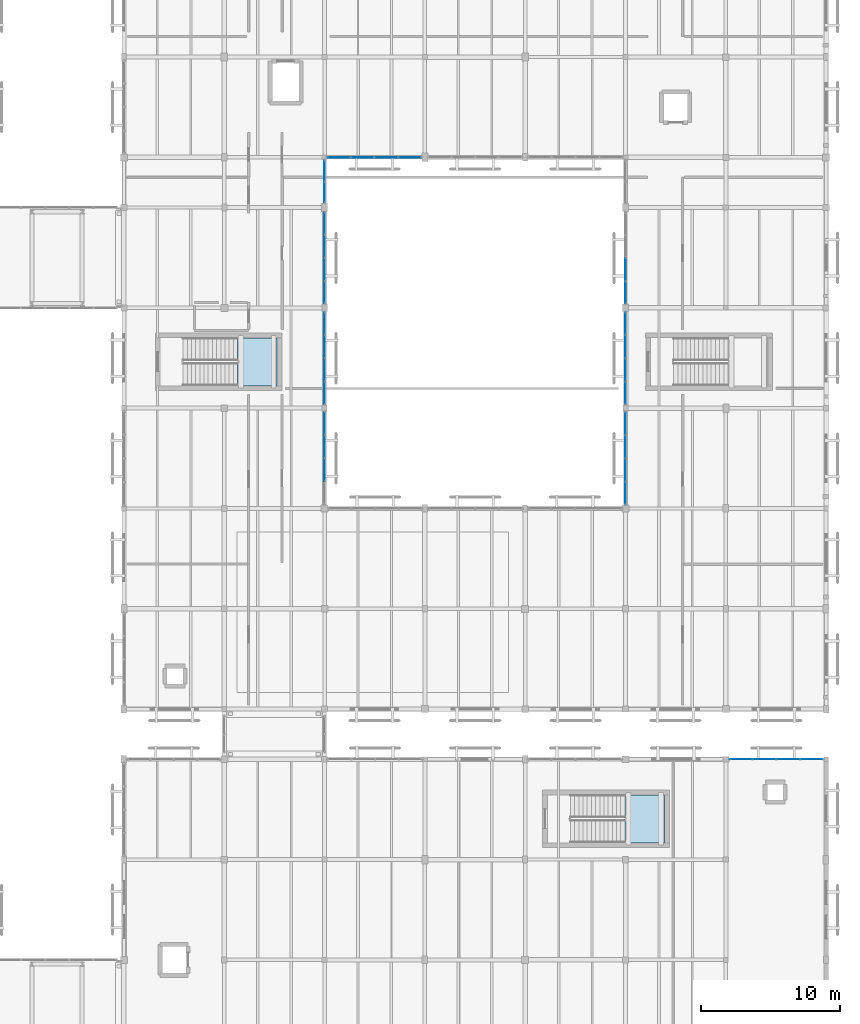
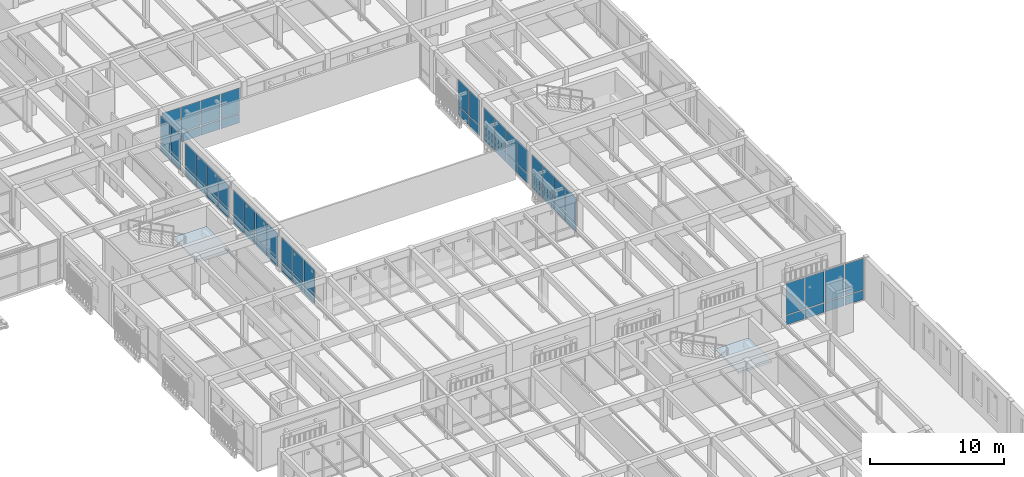
# One storey, part 173 of 217: 62 plates, 2 slabs, 11 elements without a shape of their own.
"""IFC4 building model written with IfcOpenShell, lengths in metres."""

import ifcopenshell
import ifcopenshell.guid

model = None  # the IFC model being written
_history = None  # IfcOwnerHistory: only IFC2X3 demands one
_inside = {}  # id of a spatial element -> (the spatial element, [elements in it])
_under = {}  # id of a project, library or spatial element -> (it, [spatial elements below it])
_declared = {}  # id of a project -> (the project, [libraries it declares])
_typed = {}  # id of a type object -> (the type object, [elements of that type])
_made_of = {}  # id of a material, layer set ... -> (it, [elements and type objects made of it])


def new_model(schema):
    """Start an empty IFC model of exactly this schema.

    Asked for "IFC4X3", IfcOpenShell would pick the latest addendum, in which some entities
    have other attributes; the version numbers below select the first issue.
    IFC2X3 requires an IfcOwnerHistory on every rooted entity: one is made here for all.
    """
    global model, _history
    if schema == "IFC4X3":
        model = ifcopenshell.file(schema_version=(4, 3, 0, 0))
    else:
        model = ifcopenshell.file(schema=schema)
    _inside.clear()
    _under.clear()
    _declared.clear()
    _typed.clear()
    _made_of.clear()
    _history = None
    if model.schema == "IFC2X3":
        org = make("IfcOrganization", Name="unknown")
        user = make(
            "IfcPersonAndOrganization",
            ThePerson=make("IfcPerson", FamilyName="unknown"),
            TheOrganization=org,
        )
        app = make(
            "IfcApplication",
            ApplicationDeveloper=org,
            Version="unknown",
            ApplicationFullName="unknown",
            ApplicationIdentifier="unknown",
        )
        _history = make(
            "IfcOwnerHistory",
            OwningUser=user,
            OwningApplication=app,
            ChangeAction="ADDED",
            CreationDate=0,
        )
    return model


def make(cls, **values):
    """One entity of the class cls with the attributes given. An attribute that is None is left unset."""
    return model.create_entity(
        cls, **{name: value for name, value in values.items() if value is not None}
    )


def rooted(cls, **values):
    """An entity with a GlobalId (a new one), such as an element, a storey or a relation."""
    return make(cls, GlobalId=ifcopenshell.guid.new(), OwnerHistory=_history, **values)


def si_unit(unit_type, name, prefix=None):
    """IfcSIUnit, for example si_unit("LENGTHUNIT", "METRE", prefix="MILLI")."""
    return make("IfcSIUnit", UnitType=unit_type, Prefix=prefix, Name=name)


def assignment(units):
    """IfcUnitAssignment: the units of a project."""
    return None if units is None else make("IfcUnitAssignment", Units=units)


def point(xyz):
    """IfcCartesianPoint."""
    return None if xyz is None else make("IfcCartesianPoint", Coordinates=xyz)


def direction(xyz):
    """IfcDirection."""
    return None if xyz is None else make("IfcDirection", DirectionRatios=xyz)


def frame(location, z_axis=None, x_axis=None):
    """IfcAxis2Placement3D, a coordinate frame: its origin and axes. An axis left out is left unset."""
    return make(
        "IfcAxis2Placement3D",
        Location=point(location),
        Axis=direction(z_axis),
        RefDirection=direction(x_axis),
    )


def frame_2d(location, x_axis=None):
    """IfcAxis2Placement2D, a coordinate frame in the plane: its origin and x axis."""
    return make(
        "IfcAxis2Placement2D", Location=point(location), RefDirection=direction(x_axis)
    )


def origin():
    """The frame at (0, 0, 0) with its axes left unset."""
    return frame((0.0, 0.0, 0.0))


def origin_2d():
    """The frame at (0, 0) in the plane with its x axis left unset."""
    return frame_2d((0.0, 0.0))


def place(relative_to, where):
    """IfcLocalPlacement: puts the frame where relative to a parent placement (None: the world)."""
    return make(
        "IfcLocalPlacement", PlacementRelTo=relative_to, RelativePlacement=where
    )


def context(
    kind, dimensions, precision=None, world=None, true_north=None, identifier=None
):
    """IfcGeometricRepresentationContext, for example the 3D "Model" context."""
    return make(
        "IfcGeometricRepresentationContext",
        ContextIdentifier=identifier,
        ContextType=kind,
        CoordinateSpaceDimension=dimensions,
        Precision=precision,
        WorldCoordinateSystem=world,
        TrueNorth=true_north,
    )


def subcontext(parent, identifier, kind, view, scale=None):
    """IfcGeometricRepresentationSubContext, for example "Body" below "Model"."""
    return make(
        "IfcGeometricRepresentationSubContext",
        ContextIdentifier=identifier,
        ContextType=kind,
        ParentContext=parent,
        TargetScale=scale,
        TargetView=view,
    )


def project(units=None, contexts=None):
    """IfcProject with its units and contexts."""
    return rooted(
        "IfcProject",
        Name="project",
        RepresentationContexts=contexts,
        UnitsInContext=assignment(units),
    )


def spatial(cls, under=None, at=None, **own):
    """A site, building, storey or space (cls), placed at a placement, below another one or the project."""
    s = rooted(cls, ObjectPlacement=at, **own)
    if under is not None:
        _under.setdefault(under.id(), (under, []))[1].append(s)
    return s


def polyline(points):
    """IfcPolyline through the points."""
    return make("IfcPolyline", Points=[point(p) for p in points])


def profile(cls, at=None, kind="AREA", **sizes):
    """A parametric profile (cls). Its sizes go by their IFC names, for example OverallWidth=200.0."""
    return make(cls, ProfileType=kind, Position=at, **sizes)


def rectangle(**sizes):
    """IfcRectangleProfileDef."""
    return profile("IfcRectangleProfileDef", **sizes)


def outline(outer, holes=None, kind="AREA"):
    """IfcArbitraryClosedProfileDef: a profile drawn as a closed curve; with holes, ...WithVoids."""
    if holes is None:
        return make("IfcArbitraryClosedProfileDef", ProfileType=kind, OuterCurve=outer)
    return make(
        "IfcArbitraryProfileDefWithVoids",
        ProfileType=kind,
        OuterCurve=outer,
        InnerCurves=holes,
    )


def extrude(swept, where, along, depth):
    """IfcExtrudedAreaSolid: the profile swept, set in the frame where, extruded along a direction by depth."""
    return make(
        "IfcExtrudedAreaSolid",
        SweptArea=swept,
        Position=where,
        ExtrudedDirection=direction(along),
        Depth=depth,
    )


def shape(context_of_items, identifier, shape_type, items):
    """IfcShapeRepresentation: the items that make up one representation, for example the "Body"."""
    return make(
        "IfcShapeRepresentation",
        ContextOfItems=context_of_items,
        RepresentationIdentifier=identifier,
        RepresentationType=shape_type,
        Items=items,
    )


def material(Name=None, Category=None):
    """IfcMaterial."""
    return make("IfcMaterial", Name=Name, Category=Category)


def layer(
    of_material, thickness, ventilated=None, Name=None, Category=None, Priority=None
):
    """IfcMaterialLayer: one layer of a wall or slab, of a material (None: an air gap)."""
    return make(
        "IfcMaterialLayer",
        Material=of_material,
        LayerThickness=thickness,
        IsVentilated=ventilated,
        Name=Name,
        Category=Category,
        Priority=Priority,
    )


def layer_set(layers, Name=None):
    """IfcMaterialLayerSet."""
    return make("IfcMaterialLayerSet", MaterialLayers=layers, LayerSetName=Name)


def made_of(thing, what):
    """Note that an element or type object is made of a material, layer set ...; save() writes the relation."""
    if what is not None:
        _made_of.setdefault(what.id(), (what, []))[1].append(thing)
    return thing


def type_object(cls, material=None, **own):
    """A type object (cls), such as IfcWallType, which elements share."""
    return made_of(rooted(cls, **own), material)


def element(
    cls,
    number,
    at=None,
    inside=None,
    cuts=None,
    type_object=None,
    material=None,
    context=None,
    identifier="Body",
    shape_type=None,
    held_by="IfcProductDefinitionShape",
    body=None,
    shapes=None,
    **own,
):
    """One element of the class cls, such as IfcWall. Its Tag is "e" and its number.

    at: its placement. inside: the storey or other place that contains it. cuts: it is an
    opening in that element (IfcRelVoidsElement). A single representation is given by context,
    identifier, shape_type and body (its items); several are given by shapes. held_by: the class
    of the entity that holds the representations. save() writes the other relations.
    """
    e = rooted(cls, Tag="e%d" % number, ObjectPlacement=at, **own)
    if body is not None:
        shapes = [shape(context, identifier, shape_type, body)]
    if shapes is not None:
        e.Representation = make(held_by, Representations=shapes)
    if inside is not None:
        _inside.setdefault(inside.id(), (inside, []))[1].append(e)
    if cuts is not None:
        rooted(
            "IfcRelVoidsElement", RelatingBuildingElement=cuts, RelatedOpeningElement=e
        )
    if type_object is not None:
        _typed.setdefault(type_object.id(), (type_object, []))[1].append(e)
    return made_of(e, material)


def aggregate(whole, parts):
    """IfcRelAggregates: a whole, such as a stair, and the parts it consists of."""
    return rooted("IfcRelAggregates", RelatingObject=whole, RelatedObjects=parts)


def save(model, path):
    """Write the relations noted so far, then the file.

    IfcRelAggregates (storeys below a building ...), IfcRelContainedInSpatialStructure (elements
    in a storey), IfcRelDefinesByType, IfcRelAssociatesMaterial and IfcRelDeclares: one each for
    every whole, place, type object, material and project.
    """
    for whole, parts in _under.values():
        aggregate(whole, parts)
    for where, things in _inside.values():
        rooted(
            "IfcRelContainedInSpatialStructure",
            RelatedElements=things,
            RelatingStructure=where,
        )
    for kind, things in _typed.values():
        rooted("IfcRelDefinesByType", RelatedObjects=things, RelatingType=kind)
    for what, things in _made_of.values():
        rooted("IfcRelAssociatesMaterial", RelatedObjects=things, RelatingMaterial=what)
    for by, libraries in _declared.values():
        rooted("IfcRelDeclares", RelatingContext=by, RelatedDefinitions=libraries)
    model.write(path)


model = new_model("IFC4")

# Units and contexts
model_context = context("Model", 3, precision=1e-05, world=origin(), true_north=direction((0.0, 1.0)))
body_context = subcontext(model_context, "Body", "Model", "MODEL_VIEW")
ifc_project = project(units=[si_unit("LENGTHUNIT", "METRE"), si_unit("AREAUNIT", "SQUARE_METRE"), si_unit("VOLUMEUNIT", "CUBIC_METRE"), si_unit("PLANEANGLEUNIT", "RADIAN"), si_unit("MASSUNIT", "GRAM", prefix="KILO")], contexts=[model_context])

# Site, building, storey
site_placement = place(None, origin())
site = spatial("IfcSite", under=ifc_project, at=site_placement, CompositionType="ELEMENT")
building_placement = place(site_placement, origin())
building = spatial("IfcBuilding", under=site, at=building_placement, Name="Mazaris Harbour Polytechnic", CompositionType="ELEMENT")
storey_placement = place(building_placement, frame((0.0, 0.0, 9.60009765625)))
storey = spatial("IfcBuildingStorey", under=building, at=storey_placement, Name="L02", CompositionType="ELEMENT", Elevation=9.60009765625)

# Curtain wall, plates
ifc_material_1 = material(Name="Anodised Bronze Aluminium and Low-E Glass", Category="aluminium")
ifc_layer_1 = layer(ifc_material_1, 0.159912109375, Name="Anodised Bronze Aluminium and Low-E Glass")
ifc_layer_set_1 = layer_set([ifc_layer_1], Name="Anodised Bronze Aluminium and Low-E Glass")
curtain_wall_type_1 = type_object("IfcCurtainWallType", Name="Cloister Court Curtain Wall", PredefinedType="NOTDEFINED", material=ifc_layer_set_1)
curtain_wall_1_placement = place(storey_placement, origin())
curtain_wall_1 = element("IfcCurtainWall", 1, at=curtain_wall_1_placement, inside=storey, type_object=curtain_wall_type_1, Name="V2 L02 Curtain Wall 52", PredefinedType="NOTDEFINED")
ifc_material_2 = material(Name="Low-E Double Glazing", Category="glass")
ifc_layer_2 = layer(ifc_material_2, 0.028076171875, Name="Low-E Double Glazing")
ifc_layer_set_2 = layer_set([ifc_layer_2], Name="Low-E Double Glazing")
plate_type_1 = type_object("IfcPlateType", Name="Low-E Vision Glass Panel 28", PredefinedType="CURTAIN_PANEL", material=ifc_layer_set_2)
plate_1_placement = place(storey_placement, frame((166.676513671875, 43.199951171875, 0.079833984375), z_axis=(0.0, 0.0, 1.0), x_axis=(1.0, 0.0, 0.0)))
plate_1 = element("IfcPlate", 2, at=plate_1_placement, type_object=plate_type_1, Name="CW-02 panel 1.1", PredefinedType="CURTAIN_PANEL", context=body_context, shape_type="SweptSolid", body=[
    extrude(rectangle(XDim=1.589111328125, YDim=0.028076171875, at=origin_2d()), origin(), (0.0, 0.0, 1.0), 0.830078125),
])
plate_2_placement = place(storey_placement, frame((166.676513671875, 43.199951171875, 0.98974609375), z_axis=(0.0, 0.0, 1.0), x_axis=(1.0, 0.0, 0.0)))
plate_2 = element("IfcPlate", 3, at=plate_2_placement, type_object=plate_type_1, Name="CW-02 panel 1.2", PredefinedType="CURTAIN_PANEL", context=body_context, shape_type="SweptSolid", body=[
    extrude(rectangle(XDim=1.589111328125, YDim=0.028076171875, at=origin_2d()), origin(), (0.0, 0.0, 1.0), 2.85009765625),
])
plate_3_placement = place(storey_placement, frame((168.365478515625, 43.199951171875, 0.079833984375), z_axis=(0.0, 0.0, 1.0), x_axis=(1.0, 0.0, 0.0)))
plate_3 = element("IfcPlate", 4, at=plate_3_placement, type_object=plate_type_1, Name="CW-02 panel 2.1", PredefinedType="CURTAIN_PANEL", context=body_context, shape_type="SweptSolid", body=[
    extrude(rectangle(XDim=1.62890625, YDim=0.028076171875, at=origin_2d()), origin(), (0.0, 0.0, 1.0), 0.830078125),
])
plate_4_placement = place(storey_placement, frame((168.365478515625, 43.199951171875, 0.98974609375), z_axis=(0.0, 0.0, 1.0), x_axis=(1.0, 0.0, 0.0)))
plate_4 = element("IfcPlate", 5, at=plate_4_placement, type_object=plate_type_1, Name="CW-02 panel 2.2", PredefinedType="CURTAIN_PANEL", context=body_context, shape_type="SweptSolid", body=[
    extrude(rectangle(XDim=1.62890625, YDim=0.028076171875, at=origin_2d()), origin(), (0.0, 0.0, 1.0), 2.85009765625),
])
plate_5_placement = place(storey_placement, frame((170.074462890625, 43.199951171875, 0.079833984375), z_axis=(0.0, 0.0, 1.0), x_axis=(1.0, 0.0, 0.0)))
plate_5 = element("IfcPlate", 6, at=plate_5_placement, type_object=plate_type_1, Name="CW-02 panel 3.1", PredefinedType="CURTAIN_PANEL", context=body_context, shape_type="SweptSolid", body=[
    extrude(rectangle(XDim=1.62890625, YDim=0.028076171875, at=origin_2d()), origin(), (0.0, 0.0, 1.0), 0.830078125),
])
plate_6_placement = place(storey_placement, frame((170.074462890625, 43.199951171875, 0.98974609375), z_axis=(0.0, 0.0, 1.0), x_axis=(1.0, 0.0, 0.0)))
plate_6 = element("IfcPlate", 7, at=plate_6_placement, type_object=plate_type_1, Name="CW-02 panel 3.2", PredefinedType="CURTAIN_PANEL", context=body_context, shape_type="SweptSolid", body=[
    extrude(rectangle(XDim=1.62890625, YDim=0.028076171875, at=origin_2d()), origin(), (0.0, 0.0, 1.0), 2.85009765625),
])
plate_7_placement = place(storey_placement, frame((171.763427734375, 43.199951171875, 0.079833984375), z_axis=(0.0, 0.0, 1.0), x_axis=(1.0, 0.0, 0.0)))
plate_7 = element("IfcPlate", 8, at=plate_7_placement, type_object=plate_type_1, Name="CW-02 panel 4.1", PredefinedType="CURTAIN_PANEL", context=body_context, shape_type="SweptSolid", body=[
    extrude(rectangle(XDim=1.589111328125, YDim=0.028076171875, at=origin_2d()), origin(), (0.0, 0.0, 1.0), 0.830078125),
])
plate_8_placement = place(storey_placement, frame((171.763427734375, 43.199951171875, 0.98974609375), z_axis=(0.0, 0.0, 1.0), x_axis=(1.0, 0.0, 0.0)))
plate_8 = element("IfcPlate", 9, at=plate_8_placement, type_object=plate_type_1, Name="CW-02 panel 4.2", PredefinedType="CURTAIN_PANEL", context=body_context, shape_type="SweptSolid", body=[
    extrude(rectangle(XDim=1.589111328125, YDim=0.028076171875, at=origin_2d()), origin(), (0.0, 0.0, 1.0), 2.85009765625),
])
aggregate(curtain_wall_1, [plate_1, plate_2, plate_3, plate_4, plate_5, plate_6, plate_7, plate_8])

# Stair, slab
ifc_material_3 = material(Name="Concrete C40/50", Category="concrete")
stair_type = type_object("IfcStairType", Name="Core Exit Stair H4200", PredefinedType="HALF_TURN_STAIR", material=ifc_material_3)
stair_1_placement = place(storey_placement, origin())
stair_1 = element("IfcStair", 10, at=stair_1_placement, inside=storey, type_object=stair_type, Name="L02 ST04", PredefinedType="HALF_TURN_STAIR")
ifc_material_4 = material(Name="Concrete C40/50", Category="concrete")
ifc_layer_3 = layer(ifc_material_4, 0.199951171875, Name="Concrete C40/50")
ifc_layer_set_3 = layer_set([ifc_layer_3], Name="Concrete C40/50")
slab_type = type_object("IfcSlabType", Name="RC Stair Landing 200", PredefinedType="LANDING", material=ifc_layer_set_3)
slab_1_placement = place(storey_placement, frame((0.0, 0.0, 1.89990234375)))
slab_1 = element("IfcSlab", 11, at=slab_1_placement, type_object=slab_type, Name="ST04 landing 1", PredefinedType="LANDING", context=body_context, shape_type="SweptSolid", body=[
    extrude(outline(polyline([(158.35009765625, 37.199951171875), (161.199951171875, 37.199951171875), (161.199951171875, 40.64990234375), (158.35009765625, 40.64990234375), (158.35009765625, 37.199951171875)])), origin(), (0.0, 0.0, 1.0), 0.199951171875),
])
aggregate(stair_1, [slab_1])

stair_2_placement = place(storey_placement, origin())
stair_2 = element("IfcStair", 12, at=stair_2_placement, inside=storey, type_object=stair_type, Name="L02 ST09", PredefinedType="HALF_TURN_STAIR")
slab_2_placement = place(storey_placement, frame((0.0, 0.0, 1.89990234375)))
slab_2 = element("IfcSlab", 13, at=slab_2_placement, type_object=slab_type, Name="ST09 landing 1", PredefinedType="LANDING", context=body_context, shape_type="SweptSolid", body=[
    extrude(outline(polyline([(130.550048828125, 70.0), (133.39990234375, 70.0), (133.39990234375, 73.449951171875), (130.550048828125, 73.449951171875), (130.550048828125, 70.0)])), origin(), (0.0, 0.0, 1.0), 0.199951171875),
])
aggregate(stair_2, [slab_2])

# Curtain wall, plates
ifc_material_5 = material(Name="Anodised Bronze Aluminium and Low-E Glass", Category="aluminium")
ifc_layer_4 = layer(ifc_material_5, 0.169921875, Name="Anodised Bronze Aluminium and Low-E Glass")
ifc_layer_set_4 = layer_set([ifc_layer_4], Name="Anodised Bronze Aluminium and Low-E Glass")
curtain_wall_type_2 = type_object("IfcCurtainWallType", Name="Studio North-Light Curtain Wall", PredefinedType="NOTDEFINED", material=ifc_layer_set_4)
curtain_wall_2_placement = place(storey_placement, origin())
curtain_wall_2 = element("IfcCurtainWall", 14, at=curtain_wall_2_placement, inside=storey, type_object=curtain_wall_type_2, Name="V5 L02 Curtain Wall 238", PredefinedType="NOTDEFINED")
ifc_material_6 = material(Name="Solar-Control Low-E Glazing", Category="glass")
ifc_layer_5 = layer(ifc_material_6, 0.031982421875, Name="Solar-Control Low-E Glazing")
ifc_layer_set_5 = layer_set([ifc_layer_5], Name="Solar-Control Low-E Glazing")
plate_type_2 = type_object("IfcPlateType", Name="Solar Control Studio Glass Panel 32", PredefinedType="CURTAIN_PANEL", material=ifc_layer_set_5)
plate_9_placement = place(storey_placement, frame((142.914794921875, 86.39990234375, 0.079833984375), z_axis=(0.0, 0.0, 1.0), x_axis=(-1.0, 0.0, 0.0)))
plate_9 = element("IfcPlate", 15, at=plate_9_placement, type_object=plate_type_2, Name="CW-03 panel 1.1", PredefinedType="CURTAIN_PANEL", context=body_context, shape_type="SweptSolid", body=[
    extrude(rectangle(XDim=1.58642578125, YDim=0.031982421875, at=origin_2d()), origin(), (0.0, 0.0, 1.0), 0.830078125),
])
plate_10_placement = place(storey_placement, frame((142.914794921875, 86.39990234375, 0.98974609375), z_axis=(0.0, 0.0, 1.0), x_axis=(-1.0, 0.0, 0.0)))
plate_10 = element("IfcPlate", 16, at=plate_10_placement, type_object=plate_type_2, Name="CW-03 panel 1.2", PredefinedType="CURTAIN_PANEL", context=body_context, shape_type="SweptSolid", body=[
    extrude(rectangle(XDim=1.58642578125, YDim=0.031982421875, at=origin_2d()), origin(), (0.0, 0.0, 1.0), 2.260009765625),
])
plate_11_placement = place(storey_placement, frame((141.228271484375, 86.39990234375, 0.079833984375), z_axis=(0.0, 0.0, 1.0), x_axis=(-1.0, 0.0, 0.0)))
plate_11 = element("IfcPlate", 17, at=plate_11_placement, type_object=plate_type_2, Name="CW-03 panel 2.1", PredefinedType="CURTAIN_PANEL", context=body_context, shape_type="SweptSolid", body=[
    extrude(rectangle(XDim=1.62646484375, YDim=0.031982421875, at=origin_2d()), origin(), (0.0, 0.0, 1.0), 0.830078125),
])
plate_12_placement = place(storey_placement, frame((141.228271484375, 86.39990234375, 0.98974609375), z_axis=(0.0, 0.0, 1.0), x_axis=(-1.0, 0.0, 0.0)))
plate_12 = element("IfcPlate", 18, at=plate_12_placement, type_object=plate_type_2, Name="CW-03 panel 2.2", PredefinedType="CURTAIN_PANEL", context=body_context, shape_type="SweptSolid", body=[
    extrude(rectangle(XDim=1.62646484375, YDim=0.031982421875, at=origin_2d()), origin(), (0.0, 0.0, 1.0), 2.260009765625),
])
plate_13_placement = place(storey_placement, frame((139.521728515625, 86.39990234375, 0.079833984375), z_axis=(0.0, 0.0, 1.0), x_axis=(-1.0, 0.0, 0.0)))
plate_13 = element("IfcPlate", 19, at=plate_13_placement, type_object=plate_type_2, Name="CW-03 panel 3.1", PredefinedType="CURTAIN_PANEL", context=body_context, shape_type="SweptSolid", body=[
    extrude(rectangle(XDim=1.62646484375, YDim=0.031982421875, at=origin_2d()), origin(), (0.0, 0.0, 1.0), 0.830078125),
])
plate_14_placement = place(storey_placement, frame((139.521728515625, 86.39990234375, 0.98974609375), z_axis=(0.0, 0.0, 1.0), x_axis=(-1.0, 0.0, 0.0)))
plate_14 = element("IfcPlate", 20, at=plate_14_placement, type_object=plate_type_2, Name="CW-03 panel 3.2", PredefinedType="CURTAIN_PANEL", context=body_context, shape_type="SweptSolid", body=[
    extrude(rectangle(XDim=1.62646484375, YDim=0.031982421875, at=origin_2d()), origin(), (0.0, 0.0, 1.0), 2.260009765625),
])
plate_15_placement = place(storey_placement, frame((137.835205078125, 86.39990234375, 0.079833984375), z_axis=(0.0, 0.0, 1.0), x_axis=(-1.0, 0.0, 0.0)))
plate_15 = element("IfcPlate", 21, at=plate_15_placement, type_object=plate_type_2, Name="CW-03 panel 4.1", PredefinedType="CURTAIN_PANEL", context=body_context, shape_type="SweptSolid", body=[
    extrude(rectangle(XDim=1.58642578125, YDim=0.031982421875, at=origin_2d()), origin(), (0.0, 0.0, 1.0), 0.830078125),
])
plate_16_placement = place(storey_placement, frame((137.835205078125, 86.39990234375, 0.98974609375), z_axis=(0.0, 0.0, 1.0), x_axis=(-1.0, 0.0, 0.0)))
plate_16 = element("IfcPlate", 22, at=plate_16_placement, type_object=plate_type_2, Name="CW-03 panel 4.2", PredefinedType="CURTAIN_PANEL", context=body_context, shape_type="SweptSolid", body=[
    extrude(rectangle(XDim=1.58642578125, YDim=0.031982421875, at=origin_2d()), origin(), (0.0, 0.0, 1.0), 2.260009765625),
])
aggregate(curtain_wall_2, [plate_9, plate_10, plate_11, plate_12, plate_13, plate_14, plate_15, plate_16])

curtain_wall_3_placement = place(storey_placement, origin())
curtain_wall_3 = element("IfcCurtainWall", 23, at=curtain_wall_3_placement, inside=storey, type_object=curtain_wall_type_2, Name="V5 L02 Curtain Wall 241", PredefinedType="NOTDEFINED")
plate_17_placement = place(storey_placement, frame((136.800048828125, 63.96435546875, 0.079833984375), z_axis=(0.0, 0.0, 1.0), x_axis=(0.0, 1.0, 0.0)))
plate_17 = element("IfcPlate", 24, at=plate_17_placement, type_object=plate_type_2, Name="CW-03 panel 2.1", PredefinedType="CURTAIN_PANEL", context=body_context, shape_type="SweptSolid", body=[
    extrude(rectangle(XDim=1.6015625, YDim=0.031982421875, at=origin_2d()), origin(), (0.0, 0.0, 1.0), 0.830078125),
])
plate_18_placement = place(storey_placement, frame((136.800048828125, 63.96435546875, 0.98974609375), z_axis=(0.0, 0.0, 1.0), x_axis=(0.0, 1.0, 0.0)))
plate_18 = element("IfcPlate", 25, at=plate_18_placement, type_object=plate_type_2, Name="CW-03 panel 2.2", PredefinedType="CURTAIN_PANEL", context=body_context, shape_type="SweptSolid", body=[
    extrude(rectangle(XDim=1.6015625, YDim=0.031982421875, at=origin_2d()), origin(), (0.0, 0.0, 1.0), 2.199951171875),
])
plate_19_placement = place(storey_placement, frame((136.800048828125, 65.645751953125, 0.079833984375), z_axis=(0.0, 0.0, 1.0), x_axis=(0.0, 1.0, 0.0)))
plate_19 = element("IfcPlate", 26, at=plate_19_placement, type_object=plate_type_2, Name="CW-03 panel 3.1", PredefinedType="CURTAIN_PANEL", context=body_context, shape_type="SweptSolid", body=[
    extrude(rectangle(XDim=1.6015625, YDim=0.031982421875, at=origin_2d()), origin(), (0.0, 0.0, 1.0), 0.830078125),
])
plate_20_placement = place(storey_placement, frame((136.800048828125, 65.645751953125, 0.98974609375), z_axis=(0.0, 0.0, 1.0), x_axis=(0.0, 1.0, 0.0)))
plate_20 = element("IfcPlate", 27, at=plate_20_placement, type_object=plate_type_2, Name="CW-03 panel 3.2", PredefinedType="CURTAIN_PANEL", context=body_context, shape_type="SweptSolid", body=[
    extrude(rectangle(XDim=1.6015625, YDim=0.031982421875, at=origin_2d()), origin(), (0.0, 0.0, 1.0), 2.199951171875),
])
plate_21_placement = place(storey_placement, frame((136.800048828125, 67.30712890625, 0.079833984375), z_axis=(0.0, 0.0, 1.0), x_axis=(0.0, 1.0, 0.0)))
plate_21 = element("IfcPlate", 28, at=plate_21_placement, type_object=plate_type_2, Name="CW-03 panel 4.1", PredefinedType="CURTAIN_PANEL", context=body_context, shape_type="SweptSolid", body=[
    extrude(rectangle(XDim=1.5615234375, YDim=0.031982421875, at=origin_2d()), origin(), (0.0, 0.0, 1.0), 0.830078125),
])
plate_22_placement = place(storey_placement, frame((136.800048828125, 67.30712890625, 0.98974609375), z_axis=(0.0, 0.0, 1.0), x_axis=(0.0, 1.0, 0.0)))
plate_22 = element("IfcPlate", 29, at=plate_22_placement, type_object=plate_type_2, Name="CW-03 panel 4.2", PredefinedType="CURTAIN_PANEL", context=body_context, shape_type="SweptSolid", body=[
    extrude(rectangle(XDim=1.5615234375, YDim=0.031982421875, at=origin_2d()), origin(), (0.0, 0.0, 1.0), 2.199951171875),
])
aggregate(curtain_wall_3, [plate_17, plate_18, plate_19, plate_20, plate_21, plate_22])

curtain_wall_4_placement = place(storey_placement, origin())
curtain_wall_4 = element("IfcCurtainWall", 30, at=curtain_wall_4_placement, inside=storey, type_object=curtain_wall_type_2, Name="V5 L02 Curtain Wall 242", PredefinedType="NOTDEFINED")
plate_23_placement = place(storey_placement, frame((136.800048828125, 69.490234375, 0.079833984375), z_axis=(0.0, 0.0, 1.0), x_axis=(0.0, 1.0, 0.0)))
plate_23 = element("IfcPlate", 31, at=plate_23_placement, type_object=plate_type_2, Name="CW-03 panel 1.1", PredefinedType="CURTAIN_PANEL", context=body_context, shape_type="SweptSolid", body=[
    extrude(rectangle(XDim=1.556396484375, YDim=0.031982421875, at=origin_2d()), origin(), (0.0, 0.0, 1.0), 0.830078125),
])
plate_24_placement = place(storey_placement, frame((136.800048828125, 69.490234375, 0.98974609375), z_axis=(0.0, 0.0, 1.0), x_axis=(0.0, 1.0, 0.0)))
plate_24 = element("IfcPlate", 32, at=plate_24_placement, type_object=plate_type_2, Name="CW-03 panel 1.2", PredefinedType="CURTAIN_PANEL", context=body_context, shape_type="SweptSolid", body=[
    extrude(rectangle(XDim=1.556396484375, YDim=0.031982421875, at=origin_2d()), origin(), (0.0, 0.0, 1.0), 2.159912109375),
])
plate_25_placement = place(storey_placement, frame((136.800048828125, 71.146728515625, 0.079833984375), z_axis=(0.0, 0.0, 1.0), x_axis=(0.0, 1.0, 0.0)))
plate_25 = element("IfcPlate", 33, at=plate_25_placement, type_object=plate_type_2, Name="CW-03 panel 2.1", PredefinedType="CURTAIN_PANEL", context=body_context, shape_type="SweptSolid", body=[
    extrude(rectangle(XDim=1.596435546875, YDim=0.031982421875, at=origin_2d()), origin(), (0.0, 0.0, 1.0), 0.830078125),
])
plate_26_placement = place(storey_placement, frame((136.800048828125, 71.146728515625, 0.98974609375), z_axis=(0.0, 0.0, 1.0), x_axis=(0.0, 1.0, 0.0)))
plate_26 = element("IfcPlate", 34, at=plate_26_placement, type_object=plate_type_2, Name="CW-03 panel 2.2", PredefinedType="CURTAIN_PANEL", context=body_context, shape_type="SweptSolid", body=[
    extrude(rectangle(XDim=1.596435546875, YDim=0.031982421875, at=origin_2d()), origin(), (0.0, 0.0, 1.0), 2.159912109375),
])
plate_27_placement = place(storey_placement, frame((136.800048828125, 72.8232421875, 0.079833984375), z_axis=(0.0, 0.0, 1.0), x_axis=(0.0, 1.0, 0.0)))
plate_27 = element("IfcPlate", 35, at=plate_27_placement, type_object=plate_type_2, Name="CW-03 panel 3.1", PredefinedType="CURTAIN_PANEL", context=body_context, shape_type="SweptSolid", body=[
    extrude(rectangle(XDim=1.596435546875, YDim=0.031982421875, at=origin_2d()), origin(), (0.0, 0.0, 1.0), 0.830078125),
])
plate_28_placement = place(storey_placement, frame((136.800048828125, 72.8232421875, 0.98974609375), z_axis=(0.0, 0.0, 1.0), x_axis=(0.0, 1.0, 0.0)))
plate_28 = element("IfcPlate", 36, at=plate_28_placement, type_object=plate_type_2, Name="CW-03 panel 3.2", PredefinedType="CURTAIN_PANEL", context=body_context, shape_type="SweptSolid", body=[
    extrude(rectangle(XDim=1.596435546875, YDim=0.031982421875, at=origin_2d()), origin(), (0.0, 0.0, 1.0), 2.159912109375),
])
plate_29_placement = place(storey_placement, frame((136.800048828125, 74.479736328125, 0.079833984375), z_axis=(0.0, 0.0, 1.0), x_axis=(0.0, 1.0, 0.0)))
plate_29 = element("IfcPlate", 37, at=plate_29_placement, type_object=plate_type_2, Name="CW-03 panel 4.1", PredefinedType="CURTAIN_PANEL", context=body_context, shape_type="SweptSolid", body=[
    extrude(rectangle(XDim=1.556396484375, YDim=0.031982421875, at=origin_2d()), origin(), (0.0, 0.0, 1.0), 0.830078125),
])
plate_30_placement = place(storey_placement, frame((136.800048828125, 74.479736328125, 0.98974609375), z_axis=(0.0, 0.0, 1.0), x_axis=(0.0, 1.0, 0.0)))
plate_30 = element("IfcPlate", 38, at=plate_30_placement, type_object=plate_type_2, Name="CW-03 panel 4.2", PredefinedType="CURTAIN_PANEL", context=body_context, shape_type="SweptSolid", body=[
    extrude(rectangle(XDim=1.556396484375, YDim=0.031982421875, at=origin_2d()), origin(), (0.0, 0.0, 1.0), 2.159912109375),
])
aggregate(curtain_wall_4, [plate_23, plate_24, plate_25, plate_26, plate_27, plate_28, plate_29, plate_30])

curtain_wall_5_placement = place(storey_placement, origin())
curtain_wall_5 = element("IfcCurtainWall", 39, at=curtain_wall_5_placement, inside=storey, type_object=curtain_wall_type_2, Name="V5 L02 Curtain Wall 243", PredefinedType="NOTDEFINED")
plate_31_placement = place(storey_placement, frame((136.800048828125, 76.712646484375, 0.079833984375), z_axis=(0.0, 0.0, 1.0), x_axis=(0.0, 1.0, 0.0)))
plate_31 = element("IfcPlate", 40, at=plate_31_placement, type_object=plate_type_2, Name="CW-03 panel 1.1", PredefinedType="CURTAIN_PANEL", context=body_context, shape_type="SweptSolid", body=[
    extrude(rectangle(XDim=1.54150390625, YDim=0.031982421875, at=origin_2d()), origin(), (0.0, 0.0, 1.0), 0.830078125),
])
plate_32_placement = place(storey_placement, frame((136.800048828125, 76.712646484375, 0.98974609375), z_axis=(0.0, 0.0, 1.0), x_axis=(0.0, 1.0, 0.0)))
plate_32 = element("IfcPlate", 41, at=plate_32_placement, type_object=plate_type_2, Name="CW-03 panel 1.2", PredefinedType="CURTAIN_PANEL", context=body_context, shape_type="SweptSolid", body=[
    extrude(rectangle(XDim=1.54150390625, YDim=0.031982421875, at=origin_2d()), origin(), (0.0, 0.0, 1.0), 2.10009765625),
])
plate_33_placement = place(storey_placement, frame((136.800048828125, 78.354248046875, 0.079833984375), z_axis=(0.0, 0.0, 1.0), x_axis=(0.0, 1.0, 0.0)))
plate_33 = element("IfcPlate", 42, at=plate_33_placement, type_object=plate_type_2, Name="CW-03 panel 2.1", PredefinedType="CURTAIN_PANEL", context=body_context, shape_type="SweptSolid", body=[
    extrude(rectangle(XDim=1.58154296875, YDim=0.031982421875, at=origin_2d()), origin(), (0.0, 0.0, 1.0), 0.830078125),
])
plate_34_placement = place(storey_placement, frame((136.800048828125, 78.354248046875, 0.98974609375), z_axis=(0.0, 0.0, 1.0), x_axis=(0.0, 1.0, 0.0)))
plate_34 = element("IfcPlate", 43, at=plate_34_placement, type_object=plate_type_2, Name="CW-03 panel 2.2", PredefinedType="CURTAIN_PANEL", context=body_context, shape_type="SweptSolid", body=[
    extrude(rectangle(XDim=1.58154296875, YDim=0.031982421875, at=origin_2d()), origin(), (0.0, 0.0, 1.0), 2.10009765625),
])
plate_35_placement = place(storey_placement, frame((136.800048828125, 80.015869140625, 0.079833984375), z_axis=(0.0, 0.0, 1.0), x_axis=(0.0, 1.0, 0.0)))
plate_35 = element("IfcPlate", 44, at=plate_35_placement, type_object=plate_type_2, Name="CW-03 panel 3.1", PredefinedType="CURTAIN_PANEL", context=body_context, shape_type="SweptSolid", body=[
    extrude(rectangle(XDim=1.58154296875, YDim=0.031982421875, at=origin_2d()), origin(), (0.0, 0.0, 1.0), 0.830078125),
])
plate_36_placement = place(storey_placement, frame((136.800048828125, 80.015869140625, 0.98974609375), z_axis=(0.0, 0.0, 1.0), x_axis=(0.0, 1.0, 0.0)))
plate_36 = element("IfcPlate", 45, at=plate_36_placement, type_object=plate_type_2, Name="CW-03 panel 3.2", PredefinedType="CURTAIN_PANEL", context=body_context, shape_type="SweptSolid", body=[
    extrude(rectangle(XDim=1.58154296875, YDim=0.031982421875, at=origin_2d()), origin(), (0.0, 0.0, 1.0), 2.10009765625),
])
plate_37_placement = place(storey_placement, frame((136.800048828125, 81.6572265625, 0.079833984375), z_axis=(0.0, 0.0, 1.0), x_axis=(0.0, 1.0, 0.0)))
plate_37 = element("IfcPlate", 46, at=plate_37_placement, type_object=plate_type_2, Name="CW-03 panel 4.1", PredefinedType="CURTAIN_PANEL", context=body_context, shape_type="SweptSolid", body=[
    extrude(rectangle(XDim=1.54150390625, YDim=0.031982421875, at=origin_2d()), origin(), (0.0, 0.0, 1.0), 0.830078125),
])
plate_38_placement = place(storey_placement, frame((136.800048828125, 81.6572265625, 0.98974609375), z_axis=(0.0, 0.0, 1.0), x_axis=(0.0, 1.0, 0.0)))
plate_38 = element("IfcPlate", 47, at=plate_38_placement, type_object=plate_type_2, Name="CW-03 panel 4.2", PredefinedType="CURTAIN_PANEL", context=body_context, shape_type="SweptSolid", body=[
    extrude(rectangle(XDim=1.54150390625, YDim=0.031982421875, at=origin_2d()), origin(), (0.0, 0.0, 1.0), 2.10009765625),
])
aggregate(curtain_wall_5, [plate_31, plate_32, plate_33, plate_34, plate_35, plate_36, plate_37, plate_38])

curtain_wall_6_placement = place(storey_placement, origin())
curtain_wall_6 = element("IfcCurtainWall", 48, at=curtain_wall_6_placement, inside=storey, type_object=curtain_wall_type_2, Name="V5 L02 Curtain Wall 244", PredefinedType="NOTDEFINED")
plate_39_placement = place(storey_placement, frame((136.800048828125, 83.8984375, 0.079833984375), z_axis=(0.0, 0.0, 1.0), x_axis=(0.0, 1.0, 0.0)))
plate_39 = element("IfcPlate", 49, at=plate_39_placement, type_object=plate_type_2, Name="CW-03 panel 1.1", PredefinedType="CURTAIN_PANEL", context=body_context, shape_type="SweptSolid", body=[
    extrude(rectangle(XDim=1.452880859375, YDim=0.031982421875, at=origin_2d()), origin(), (0.0, 0.0, 1.0), 0.830078125),
])
plate_40_placement = place(storey_placement, frame((136.800048828125, 83.8984375, 0.98974609375), z_axis=(0.0, 0.0, 1.0), x_axis=(0.0, 1.0, 0.0)))
plate_40 = element("IfcPlate", 50, at=plate_40_placement, type_object=plate_type_2, Name="CW-03 panel 1.2", PredefinedType="CURTAIN_PANEL", context=body_context, shape_type="SweptSolid", body=[
    extrude(rectangle(XDim=1.452880859375, YDim=0.031982421875, at=origin_2d()), origin(), (0.0, 0.0, 1.0), 2.320068359375),
])
plate_41_placement = place(storey_placement, frame((136.800048828125, 85.431396484375, 0.079833984375), z_axis=(0.0, 0.0, 1.0), x_axis=(0.0, 1.0, 0.0)))
plate_41 = element("IfcPlate", 51, at=plate_41_placement, type_object=plate_type_2, Name="CW-03 panel 2.1", PredefinedType="CURTAIN_PANEL", context=body_context, shape_type="SweptSolid", body=[
    extrude(rectangle(XDim=1.452880859375, YDim=0.031982421875, at=origin_2d()), origin(), (0.0, 0.0, 1.0), 0.830078125),
])
plate_42_placement = place(storey_placement, frame((136.800048828125, 85.431396484375, 0.98974609375), z_axis=(0.0, 0.0, 1.0), x_axis=(0.0, 1.0, 0.0)))
plate_42 = element("IfcPlate", 52, at=plate_42_placement, type_object=plate_type_2, Name="CW-03 panel 2.2", PredefinedType="CURTAIN_PANEL", context=body_context, shape_type="SweptSolid", body=[
    extrude(rectangle(XDim=1.452880859375, YDim=0.031982421875, at=origin_2d()), origin(), (0.0, 0.0, 1.0), 2.320068359375),
])
aggregate(curtain_wall_6, [plate_39, plate_40, plate_41, plate_42])

curtain_wall_7_placement = place(storey_placement, origin())
curtain_wall_7 = element("IfcCurtainWall", 53, at=curtain_wall_7_placement, inside=storey, type_object=curtain_wall_type_2, Name="V5 L02 Curtain Wall 245", PredefinedType="NOTDEFINED")
plate_43_placement = place(storey_placement, frame((158.39990234375, 67.30712890625, 0.079833984375), z_axis=(0.0, 0.0, 1.0), x_axis=(0.0, -1.0, 0.0)))
plate_43 = element("IfcPlate", 54, at=plate_43_placement, type_object=plate_type_2, Name="CW-03 panel 1.1", PredefinedType="CURTAIN_PANEL", context=body_context, shape_type="SweptSolid", body=[
    extrude(rectangle(XDim=1.5615234375, YDim=0.031982421875, at=origin_2d()), origin(), (0.0, 0.0, 1.0), 0.830078125),
])
plate_44_placement = place(storey_placement, frame((158.39990234375, 67.30712890625, 0.98974609375), z_axis=(0.0, 0.0, 1.0), x_axis=(0.0, -1.0, 0.0)))
plate_44 = element("IfcPlate", 55, at=plate_44_placement, type_object=plate_type_2, Name="CW-03 panel 1.2", PredefinedType="CURTAIN_PANEL", context=body_context, shape_type="SweptSolid", body=[
    extrude(rectangle(XDim=1.5615234375, YDim=0.031982421875, at=origin_2d()), origin(), (0.0, 0.0, 1.0), 2.159912109375),
])
plate_45_placement = place(storey_placement, frame((158.39990234375, 65.645751953125, 0.079833984375), z_axis=(0.0, 0.0, 1.0), x_axis=(0.0, -1.0, 0.0)))
plate_45 = element("IfcPlate", 56, at=plate_45_placement, type_object=plate_type_2, Name="CW-03 panel 2.1", PredefinedType="CURTAIN_PANEL", context=body_context, shape_type="SweptSolid", body=[
    extrude(rectangle(XDim=1.6015625, YDim=0.031982421875, at=origin_2d()), origin(), (0.0, 0.0, 1.0), 0.830078125),
])
plate_46_placement = place(storey_placement, frame((158.39990234375, 65.645751953125, 0.98974609375), z_axis=(0.0, 0.0, 1.0), x_axis=(0.0, -1.0, 0.0)))
plate_46 = element("IfcPlate", 57, at=plate_46_placement, type_object=plate_type_2, Name="CW-03 panel 2.2", PredefinedType="CURTAIN_PANEL", context=body_context, shape_type="SweptSolid", body=[
    extrude(rectangle(XDim=1.6015625, YDim=0.031982421875, at=origin_2d()), origin(), (0.0, 0.0, 1.0), 2.159912109375),
])
plate_47_placement = place(storey_placement, frame((158.39990234375, 63.96435546875, 0.079833984375), z_axis=(0.0, 0.0, 1.0), x_axis=(0.0, -1.0, 0.0)))
plate_47 = element("IfcPlate", 58, at=plate_47_placement, type_object=plate_type_2, Name="CW-03 panel 3.1", PredefinedType="CURTAIN_PANEL", context=body_context, shape_type="SweptSolid", body=[
    extrude(rectangle(XDim=1.6015625, YDim=0.031982421875, at=origin_2d()), origin(), (0.0, 0.0, 1.0), 0.830078125),
])
plate_48_placement = place(storey_placement, frame((158.39990234375, 63.96435546875, 0.98974609375), z_axis=(0.0, 0.0, 1.0), x_axis=(0.0, -1.0, 0.0)))
plate_48 = element("IfcPlate", 59, at=plate_48_placement, type_object=plate_type_2, Name="CW-03 panel 3.2", PredefinedType="CURTAIN_PANEL", context=body_context, shape_type="SweptSolid", body=[
    extrude(rectangle(XDim=1.6015625, YDim=0.031982421875, at=origin_2d()), origin(), (0.0, 0.0, 1.0), 2.159912109375),
])
plate_49_placement = place(storey_placement, frame((158.39990234375, 62.302734375, 0.079833984375), z_axis=(0.0, 0.0, 1.0), x_axis=(0.0, -1.0, 0.0)))
plate_49 = element("IfcPlate", 60, at=plate_49_placement, type_object=plate_type_2, Name="CW-03 panel 4.1", PredefinedType="CURTAIN_PANEL", context=body_context, shape_type="SweptSolid", body=[
    extrude(rectangle(XDim=1.5615234375, YDim=0.031982421875, at=origin_2d()), origin(), (0.0, 0.0, 1.0), 0.830078125),
])
plate_50_placement = place(storey_placement, frame((158.39990234375, 62.302734375, 0.98974609375), z_axis=(0.0, 0.0, 1.0), x_axis=(0.0, -1.0, 0.0)))
plate_50 = element("IfcPlate", 61, at=plate_50_placement, type_object=plate_type_2, Name="CW-03 panel 4.2", PredefinedType="CURTAIN_PANEL", context=body_context, shape_type="SweptSolid", body=[
    extrude(rectangle(XDim=1.5615234375, YDim=0.031982421875, at=origin_2d()), origin(), (0.0, 0.0, 1.0), 2.159912109375),
])
aggregate(curtain_wall_7, [plate_43, plate_44, plate_45, plate_46, plate_47, plate_48, plate_49, plate_50])

curtain_wall_8_placement = place(storey_placement, origin())
curtain_wall_8 = element("IfcCurtainWall", 62, at=curtain_wall_8_placement, inside=storey, type_object=curtain_wall_type_2, Name="V5 L02 Curtain Wall 246", PredefinedType="NOTDEFINED")
plate_51_placement = place(storey_placement, frame((158.39990234375, 74.479736328125, 0.079833984375), z_axis=(0.0, 0.0, 1.0), x_axis=(0.0, -1.0, 0.0)))
plate_51 = element("IfcPlate", 63, at=plate_51_placement, type_object=plate_type_2, Name="CW-03 panel 1.1", PredefinedType="CURTAIN_PANEL", context=body_context, shape_type="SweptSolid", body=[
    extrude(rectangle(XDim=1.556396484375, YDim=0.031982421875, at=origin_2d()), origin(), (0.0, 0.0, 1.0), 0.830078125),
])
plate_52_placement = place(storey_placement, frame((158.39990234375, 74.479736328125, 0.98974609375), z_axis=(0.0, 0.0, 1.0), x_axis=(0.0, -1.0, 0.0)))
plate_52 = element("IfcPlate", 64, at=plate_52_placement, type_object=plate_type_2, Name="CW-03 panel 1.2", PredefinedType="CURTAIN_PANEL", context=body_context, shape_type="SweptSolid", body=[
    extrude(rectangle(XDim=1.556396484375, YDim=0.031982421875, at=origin_2d()), origin(), (0.0, 0.0, 1.0), 2.10009765625),
])
plate_53_placement = place(storey_placement, frame((158.39990234375, 72.8232421875, 0.079833984375), z_axis=(0.0, 0.0, 1.0), x_axis=(0.0, -1.0, 0.0)))
plate_53 = element("IfcPlate", 65, at=plate_53_placement, type_object=plate_type_2, Name="CW-03 panel 2.1", PredefinedType="CURTAIN_PANEL", context=body_context, shape_type="SweptSolid", body=[
    extrude(rectangle(XDim=1.596435546875, YDim=0.031982421875, at=origin_2d()), origin(), (0.0, 0.0, 1.0), 0.830078125),
])
plate_54_placement = place(storey_placement, frame((158.39990234375, 72.8232421875, 0.98974609375), z_axis=(0.0, 0.0, 1.0), x_axis=(0.0, -1.0, 0.0)))
plate_54 = element("IfcPlate", 66, at=plate_54_placement, type_object=plate_type_2, Name="CW-03 panel 2.2", PredefinedType="CURTAIN_PANEL", context=body_context, shape_type="SweptSolid", body=[
    extrude(rectangle(XDim=1.596435546875, YDim=0.031982421875, at=origin_2d()), origin(), (0.0, 0.0, 1.0), 2.10009765625),
])
plate_55_placement = place(storey_placement, frame((158.39990234375, 71.146728515625, 0.079833984375), z_axis=(0.0, 0.0, 1.0), x_axis=(0.0, -1.0, 0.0)))
plate_55 = element("IfcPlate", 67, at=plate_55_placement, type_object=plate_type_2, Name="CW-03 panel 3.1", PredefinedType="CURTAIN_PANEL", context=body_context, shape_type="SweptSolid", body=[
    extrude(rectangle(XDim=1.596435546875, YDim=0.031982421875, at=origin_2d()), origin(), (0.0, 0.0, 1.0), 0.830078125),
])
plate_56_placement = place(storey_placement, frame((158.39990234375, 71.146728515625, 0.98974609375), z_axis=(0.0, 0.0, 1.0), x_axis=(0.0, -1.0, 0.0)))
plate_56 = element("IfcPlate", 68, at=plate_56_placement, type_object=plate_type_2, Name="CW-03 panel 3.2", PredefinedType="CURTAIN_PANEL", context=body_context, shape_type="SweptSolid", body=[
    extrude(rectangle(XDim=1.596435546875, YDim=0.031982421875, at=origin_2d()), origin(), (0.0, 0.0, 1.0), 2.10009765625),
])
plate_57_placement = place(storey_placement, frame((158.39990234375, 69.490234375, 0.079833984375), z_axis=(0.0, 0.0, 1.0), x_axis=(0.0, -1.0, 0.0)))
plate_57 = element("IfcPlate", 69, at=plate_57_placement, type_object=plate_type_2, Name="CW-03 panel 4.1", PredefinedType="CURTAIN_PANEL", context=body_context, shape_type="SweptSolid", body=[
    extrude(rectangle(XDim=1.556396484375, YDim=0.031982421875, at=origin_2d()), origin(), (0.0, 0.0, 1.0), 0.830078125),
])
plate_58_placement = place(storey_placement, frame((158.39990234375, 69.490234375, 0.98974609375), z_axis=(0.0, 0.0, 1.0), x_axis=(0.0, -1.0, 0.0)))
plate_58 = element("IfcPlate", 70, at=plate_58_placement, type_object=plate_type_2, Name="CW-03 panel 4.2", PredefinedType="CURTAIN_PANEL", context=body_context, shape_type="SweptSolid", body=[
    extrude(rectangle(XDim=1.556396484375, YDim=0.031982421875, at=origin_2d()), origin(), (0.0, 0.0, 1.0), 2.10009765625),
])
aggregate(curtain_wall_8, [plate_51, plate_52, plate_53, plate_54, plate_55, plate_56, plate_57, plate_58])

curtain_wall_9_placement = place(storey_placement, origin())
curtain_wall_9 = element("IfcCurtainWall", 71, at=curtain_wall_9_placement, inside=storey, type_object=curtain_wall_type_2, Name="V5 L02 Curtain Wall 247", PredefinedType="NOTDEFINED")
plate_59_placement = place(storey_placement, frame((158.39990234375, 78.354248046875, 0.079833984375), z_axis=(0.0, 0.0, 1.0), x_axis=(0.0, -1.0, 0.0)))
plate_59 = element("IfcPlate", 72, at=plate_59_placement, type_object=plate_type_2, Name="CW-03 panel 3.1", PredefinedType="CURTAIN_PANEL", context=body_context, shape_type="SweptSolid", body=[
    extrude(rectangle(XDim=1.58154296875, YDim=0.031982421875, at=origin_2d()), origin(), (0.0, 0.0, 1.0), 0.830078125),
])
plate_60_placement = place(storey_placement, frame((158.39990234375, 78.354248046875, 0.98974609375), z_axis=(0.0, 0.0, 1.0), x_axis=(0.0, -1.0, 0.0)))
plate_60 = element("IfcPlate", 73, at=plate_60_placement, type_object=plate_type_2, Name="CW-03 panel 3.2", PredefinedType="CURTAIN_PANEL", context=body_context, shape_type="SweptSolid", body=[
    extrude(rectangle(XDim=1.58154296875, YDim=0.031982421875, at=origin_2d()), origin(), (0.0, 0.0, 1.0), 2.320068359375),
])
plate_61_placement = place(storey_placement, frame((158.39990234375, 76.712646484375, 0.079833984375), z_axis=(0.0, 0.0, 1.0), x_axis=(0.0, -1.0, 0.0)))
plate_61 = element("IfcPlate", 74, at=plate_61_placement, type_object=plate_type_2, Name="CW-03 panel 4.1", PredefinedType="CURTAIN_PANEL", context=body_context, shape_type="SweptSolid", body=[
    extrude(rectangle(XDim=1.54150390625, YDim=0.031982421875, at=origin_2d()), origin(), (0.0, 0.0, 1.0), 0.830078125),
])
plate_62_placement = place(storey_placement, frame((158.39990234375, 76.712646484375, 0.98974609375), z_axis=(0.0, 0.0, 1.0), x_axis=(0.0, -1.0, 0.0)))
plate_62 = element("IfcPlate", 75, at=plate_62_placement, type_object=plate_type_2, Name="CW-03 panel 4.2", PredefinedType="CURTAIN_PANEL", context=body_context, shape_type="SweptSolid", body=[
    extrude(rectangle(XDim=1.54150390625, YDim=0.031982421875, at=origin_2d()), origin(), (0.0, 0.0, 1.0), 2.320068359375),
])
aggregate(curtain_wall_9, [plate_59, plate_60, plate_61, plate_62])

save(model, "model.ifc")
